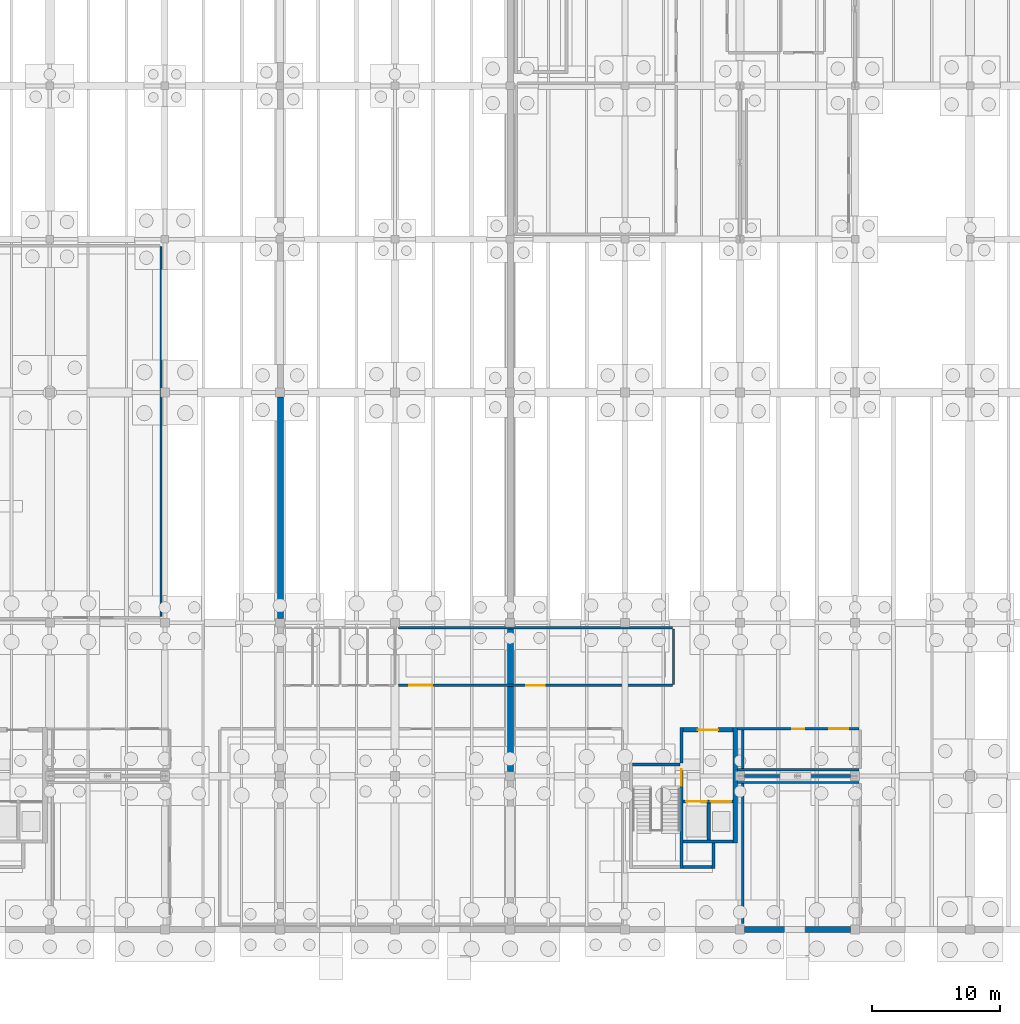
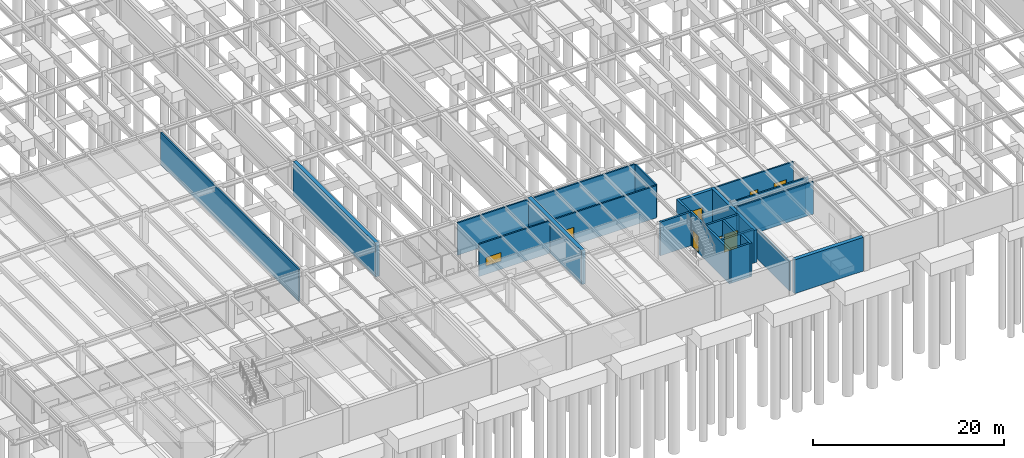
# One storey, part 29 of 40: 23 walls, 6 doors, 2 windows, 8 openings.
"""IFC4 building model written with IfcOpenShell, lengths in metres."""

from ifc_helpers import new_model, si_unit, direction, frame, frame_2d, origin, place, context, subcontext, project, spatial, rectangle, extrude, material, layer, layer_set, type_object, element, fill, save


model = new_model("IFC4")

# Units and contexts
model_context = context("Model", 3, precision=1e-05, world=origin(), true_north=direction((0.0, 1.0)))
body_context = subcontext(model_context, "Body", "Model", "MODEL_VIEW")
ifc_project = project(units=[si_unit("LENGTHUNIT", "METRE"), si_unit("AREAUNIT", "SQUARE_METRE"), si_unit("VOLUMEUNIT", "CUBIC_METRE"), si_unit("PLANEANGLEUNIT", "RADIAN"), si_unit("MASSUNIT", "GRAM", prefix="KILO")], contexts=[model_context])

# Site, building, storey
site_placement = place(None, origin())
site = spatial("IfcSite", under=ifc_project, at=site_placement, CompositionType="ELEMENT")
building_placement = place(site_placement, origin())
building = spatial("IfcBuilding", under=site, at=building_placement, Name="Montelvaro Courts of Justice", CompositionType="ELEMENT")
storey_placement = place(building_placement, frame((0.0, 0.0, -4.5)))
storey = spatial("IfcBuildingStorey", under=building, at=storey_placement, Name="B01", CompositionType="ELEMENT", Elevation=-4.5)

# Wall, opening, door
ifc_material_1 = material(Name="Concrete C40/50", Category="concrete")
ifc_layer_1 = layer(ifc_material_1, 0.360107421875)
ifc_layer_set_1 = layer_set([ifc_layer_1], Name="Concrete C40/50")
wall_type_1 = type_object("IfcWallType", Name="CoreWall_360", PredefinedType="SHEAR", material=ifc_layer_set_1)
wall_1_placement = place(storey_placement, frame((112.5400390625, 15.6201171875, 0.0), z_axis=(0.0, 0.0, 1.0), x_axis=(1.0, 0.0, 0.0)))
wall_1 = element("IfcWall", 1, at=wall_1_placement, inside=storey, type_object=wall_type_1, Name="Core Shear Wall CW-01 K2-N (B01)", PredefinedType="SHEAR", context=body_context, shape_type="SweptSolid", body=[
    extrude(rectangle(XDim=3.89990234375, YDim=0.360107421875, at=frame_2d((1.949951171875, 0.0))), origin(), (0.0, 0.0, 1.0), 4.159912109375),
])
opening_1_placement = place(wall_1_placement, frame((1.14990234375, 0.0, 0.0)))
opening_1 = element("IfcOpeningElement", 2, at=opening_1_placement, cuts=wall_1, Name="Opening DL-B01-K2", PredefinedType="OPENING", context=body_context, shape_type="SweptSolid", body=[
    extrude(rectangle(XDim=1.60009765625, YDim=2.25, at=frame_2d((0.800048828125, 1.125))), frame((0.0, 0.19482421875, 0.0), z_axis=(0.0, -1.0, 0.0), x_axis=(1.0, 0.0, 0.0)), (0.0, 0.0, 1.0), 0.389892578125),
])
ifc_material_2 = material(Name="Galvanised steel S355 security door", Category="steel")
door_type_1 = type_object("IfcDoorType", Name="LobbyFireDoor_160x225", OperationType="DOUBLE_DOOR_SINGLE_SWING", PredefinedType="DOOR", material=ifc_material_2)
door_1_placement = place(opening_1_placement, origin())
door_1 = element("IfcDoor", 3, at=door_1_placement, inside=storey, type_object=door_type_1, Name="Core Lobby Fire Door DL-B01-K2", OperationType="DOUBLE_DOOR_SINGLE_SWING", OverallHeight=2.25, OverallWidth=1.60009765625, PredefinedType="DOOR", context=body_context, shape_type="SweptSolid", body=[
    extrude(rectangle(XDim=1.60009765625, YDim=2.25, at=frame_2d((0.800048828125, 1.125))), frame((0.0, 0.02490234375, 0.0), z_axis=(0.0, -1.0, 0.0), x_axis=(1.0, 0.0, 0.0)), (0.0, 0.0, 1.0), 0.050048828125),
])
fill(opening_1, door_1)

# Walls
wall_2_placement = place(storey_placement, frame((116.6201171875, 6.760009765625, 0.0), z_axis=(0.0, 0.0, 1.0), x_axis=(0.0, 1.0, 0.0)))
element("IfcWall", 4, at=wall_2_placement, inside=storey, type_object=wall_type_1, Name="Core Shear Wall CW-01 K2-E (B01)", PredefinedType="SHEAR", context=body_context, shape_type="SweptSolid", body=[
    extrude(rectangle(XDim=9.0400390625, YDim=0.360107421875, at=frame_2d((4.52001953125, 0.0))), origin(), (0.0, 0.0, 1.0), 4.159912109375),
])
ifc_material_3 = material(Name="Fire-rated gypsum and steel stud", Category="steel")
ifc_layer_2 = layer(ifc_material_3, 0.179931640625)
ifc_layer_set_2 = layer_set([ifc_layer_2], Name="Fire-rated gypsum and steel stud")
wall_type_2 = type_object("IfcWallType", Name="CorridorFireWall_180", PredefinedType="PARTITIONING", material=ifc_layer_set_2)
wall_3_placement = place(storey_placement, frame((71.699951171875, 53.419921875, 0.0), z_axis=(0.0, 0.0, 1.0), x_axis=(0.0, -1.0, 0.0)))
element("IfcWall", 5, at=wall_3_placement, inside=storey, type_object=wall_type_2, Name="Interior Partition IW-02 (B01)", PredefinedType="PARTITIONING", context=body_context, shape_type="SweptSolid", body=[
    extrude(rectangle(XDim=28.93994140625, YDim=0.179931640625, at=frame_2d((14.469970703125, 0.0))), origin(), (0.0, 0.0, 1.0), 4.139892578125),
])
wall_4_placement = place(storey_placement, frame((117.199951171875, 0.47998046875, 0.0), z_axis=(0.0, 0.0, 1.0), x_axis=(0.0, 1.0, 0.0)))
element("IfcWall", 6, at=wall_4_placement, inside=storey, type_object=wall_type_2, Name="Interior Partition IW-02 (B01)", PredefinedType="PARTITIONING", context=body_context, shape_type="SweptSolid", body=[
    extrude(rectangle(XDim=10.93994140625, YDim=0.179931640625, at=frame_2d((5.469970703125, 0.0))), origin(), (0.0, 0.0, 1.0), 3.784912109375),
])
wall_5_placement = place(storey_placement, frame((116.794921875, 11.5, 0.0), z_axis=(0.0, 0.0, 1.0), x_axis=(1.0, 0.0, 0.0)))
element("IfcWall", 7, at=wall_5_placement, inside=storey, type_object=wall_type_2, Name="Interior Partition IW-02 (B01)", PredefinedType="PARTITIONING", context=body_context, shape_type="SweptSolid", body=[
    extrude(rectangle(XDim=9.525146484375, YDim=0.179931640625, at=frame_2d((4.7626953125, 0.0))), origin(), (0.0, 0.0, 1.0), 4.139892578125),
])
wall_6_placement = place(storey_placement, frame((117.199951171875, 12.580078125, 0.0), z_axis=(0.0, 0.0, 1.0), x_axis=(0.0, 1.0, 0.0)))
element("IfcWall", 8, at=wall_6_placement, inside=storey, type_object=wall_type_2, Name="Interior Partition IW-02 (B01)", PredefinedType="PARTITIONING", context=body_context, shape_type="SweptSolid", body=[
    extrude(rectangle(XDim=3.0400390625, YDim=0.179931640625, at=frame_2d((1.52001953125, 0.0))), origin(), (0.0, 0.0, 1.0), 3.784912109375),
])

# Wall, openings, door, window
wall_7_placement = place(storey_placement, frame((116.794921875, 15.699951171875, 0.0), z_axis=(0.0, 0.0, 1.0), x_axis=(1.0, 0.0, 0.0)))
wall_7 = element("IfcWall", 9, at=wall_7_placement, inside=storey, type_object=wall_type_2, Name="Interior Partition IW-02 (B01)", PredefinedType="PARTITIONING", context=body_context, shape_type="SweptSolid", body=[
    extrude(rectangle(XDim=9.525146484375, YDim=0.179931640625, at=frame_2d((4.7626953125, 0.0))), origin(), (0.0, 0.0, 1.0), 4.139892578125),
])
opening_2_placement = place(wall_7_placement, frame((4.2880859375, 0.0, 0.0)))
opening_2 = element("IfcOpeningElement", 10, at=opening_2_placement, cuts=wall_7, Name="Opening D-B01-017", PredefinedType="OPENING", context=body_context, shape_type="SweptSolid", body=[
    extrude(rectangle(XDim=0.949951171875, YDim=2.10009765625, at=frame_2d((0.47509765625, 1.050048828125))), frame((0.0, 0.10498046875, 0.0), z_axis=(0.0, -1.0, 0.0), x_axis=(1.0, 0.0, 0.0)), (0.0, 0.0, 1.0), 0.209716796875),
])
opening_3_placement = place(wall_7_placement, frame((7.175048828125, 0.0, 1.050048828125)))
opening_3 = element("IfcOpeningElement", 11, at=opening_3_placement, cuts=wall_7, Name="Opening WI-02", PredefinedType="OPENING", context=body_context, shape_type="SweptSolid", body=[
    extrude(rectangle(XDim=1.5, YDim=1.10009765625, at=frame_2d((0.75, 0.550048828125))), frame((0.0, 0.10498046875, 0.0), z_axis=(0.0, -1.0, 0.0), x_axis=(1.0, 0.0, 0.0)), (0.0, 0.0, 1.0), 0.209716796875),
])
door_type_2 = type_object("IfcDoorType", Name="CustodyCellDoor_095x210", OperationType="NOTDEFINED", PredefinedType="DOOR", material=ifc_material_2)
door_2_placement = place(opening_2_placement, frame((0.949951171875, 0.0, 0.0), z_axis=(0.0, 0.0, 1.0), x_axis=(-1.0, 0.0, 0.0)))
door_2 = element("IfcDoor", 12, at=door_2_placement, inside=storey, type_object=door_type_2, Name="Interior Door D-B01-017 (Exhibit Intake Vault East)", OperationType="SINGLE_SWING_LEFT", OverallHeight=2.10009765625, OverallWidth=0.949951171875, PredefinedType="DOOR", context=body_context, shape_type="SweptSolid", body=[
    extrude(rectangle(XDim=0.949951171875, YDim=2.10009765625, at=frame_2d((0.47509765625, 1.050048828125))), frame((0.0, 0.02490234375, 0.0), z_axis=(0.0, -1.0, 0.0), x_axis=(1.0, 0.0, 0.0)), (0.0, 0.0, 1.0), 0.050048828125),
])
fill(opening_2, door_2)
ifc_material_4 = material(Name="Acoustic laminated double glazing", Category="glass")
window_type_1 = type_object("IfcWindowType", Name="IntVision_150x110", PartitioningType="SINGLE_PANEL", PredefinedType="WINDOW", material=ifc_material_4)
window_1_placement = place(opening_3_placement, origin())
window_1 = element("IfcWindow", 13, at=window_1_placement, inside=storey, type_object=window_type_1, Name="Interior Vision Panel WI-010", OverallHeight=1.10009765625, OverallWidth=1.5, PartitioningType="SINGLE_PANEL", PredefinedType="WINDOW", context=body_context, shape_type="SweptSolid", body=[
    extrude(rectangle(XDim=1.5, YDim=1.10009765625, at=frame_2d((0.75, 0.550048828125))), frame((0.0, 0.030029296875, 0.0), z_axis=(0.0, -1.0, 0.0), x_axis=(1.0, 0.0, 0.0)), (0.0, 0.0, 1.0), 0.06005859375),
])
fill(opening_3, window_1)

# Wall
wall_8_placement = place(storey_placement, frame((126.320068359375, 12.5, 0.0), z_axis=(0.0, 0.0, 1.0), x_axis=(-1.0, 0.0, 0.0)))
element("IfcWall", 14, at=wall_8_placement, inside=storey, type_object=wall_type_2, Name="Interior Partition IW-02 (B01)", PredefinedType="PARTITIONING", context=body_context, shape_type="SweptSolid", body=[
    extrude(rectangle(XDim=9.525146484375, YDim=0.179931640625, at=frame_2d((4.7626953125, 0.0))), origin(), (0.0, 0.0, 1.0), 4.139892578125),
])

# Wall, openings, door, window
wall_9_placement = place(storey_placement, frame((111.719970703125, 19.10009765625, 0.0), z_axis=(0.0, 0.0, 1.0), x_axis=(-1.0, 0.0, 0.0)))
wall_9 = element("IfcWall", 15, at=wall_9_placement, inside=storey, type_object=wall_type_2, Name="Interior Partition IW-02 (B01)", PredefinedType="PARTITIONING", context=body_context, shape_type="SweptSolid", body=[
    extrude(rectangle(XDim=21.43994140625, YDim=0.179931640625, at=frame_2d((10.719970703125, 0.0))), origin(), (0.0, 0.0, 1.0), 4.139892578125),
])
opening_4_placement = place(wall_9_placement, frame((9.9951171875, 0.0, 0.0)))
opening_4 = element("IfcOpeningElement", 16, at=opening_4_placement, cuts=wall_9, Name="Opening D-B01-024", PredefinedType="OPENING", context=body_context, shape_type="SweptSolid", body=[
    extrude(rectangle(XDim=1.449951171875, YDim=2.300048828125, at=frame_2d((0.72509765625, 1.14990234375))), frame((0.0, 0.10498046875, 0.0), z_axis=(0.0, -1.0, 0.0), x_axis=(1.0, 0.0, 0.0)), (0.0, 0.0, 1.0), 0.209716796875),
])
opening_5_placement = place(wall_9_placement, frame((18.7900390625, 0.0, 1.050048828125)))
opening_5 = element("IfcOpeningElement", 17, at=opening_5_placement, cuts=wall_9, Name="Opening WI-01", PredefinedType="OPENING", context=body_context, shape_type="SweptSolid", body=[
    extrude(rectangle(XDim=1.800048828125, YDim=1.10009765625, at=frame_2d((0.89990234375, 0.550048828125))), frame((0.0, 0.10498046875, 0.0), z_axis=(0.0, -1.0, 0.0), x_axis=(1.0, 0.0, 0.0)), (0.0, 0.0, 1.0), 0.209716796875),
])
door_type_3 = type_object("IfcDoorType", Name="ArchiveVaultDoor_145x230", OperationType="DOUBLE_DOOR_SINGLE_SWING", PredefinedType="DOOR", material=ifc_material_2)
door_3_placement = place(opening_4_placement, origin())
door_3 = element("IfcDoor", 18, at=door_3_placement, inside=storey, type_object=door_type_3, Name="Interior Door D-B01-024 (Archive Digitisation Workshop)", OperationType="DOUBLE_DOOR_SINGLE_SWING", OverallHeight=2.300048828125, OverallWidth=1.449951171875, PredefinedType="DOOR", context=body_context, shape_type="SweptSolid", body=[
    extrude(rectangle(XDim=1.449951171875, YDim=2.300048828125, at=frame_2d((0.72509765625, 1.14990234375))), frame((0.0, 0.02490234375, 0.0), z_axis=(0.0, -1.0, 0.0), x_axis=(1.0, 0.0, 0.0)), (0.0, 0.0, 1.0), 0.050048828125),
])
fill(opening_4, door_3)
window_type_2 = type_object("IfcWindowType", Name="IntVision_180x110", PartitioningType="SINGLE_PANEL", PredefinedType="WINDOW", material=ifc_material_4)
window_2_placement = place(opening_5_placement, origin())
window_2 = element("IfcWindow", 19, at=window_2_placement, inside=storey, type_object=window_type_2, Name="Interior Vision Panel WI-013", OverallHeight=1.10009765625, OverallWidth=1.800048828125, PartitioningType="SINGLE_PANEL", PredefinedType="WINDOW", context=body_context, shape_type="SweptSolid", body=[
    extrude(rectangle(XDim=1.800048828125, YDim=1.10009765625, at=frame_2d((0.89990234375, 0.550048828125))), frame((0.0, 0.030029296875, 0.0), z_axis=(0.0, -1.0, 0.0), x_axis=(1.0, 0.0, 0.0)), (0.0, 0.0, 1.0), 0.06005859375),
])
fill(opening_5, window_2)

# Walls
wall_10_placement = place(storey_placement, frame((90.280029296875, 23.60009765625, 0.0), z_axis=(0.0, 0.0, 1.0), x_axis=(1.0, 0.0, 0.0)))
element("IfcWall", 20, at=wall_10_placement, inside=storey, type_object=wall_type_2, Name="Interior Partition IW-02 (B01)", PredefinedType="PARTITIONING", context=body_context, shape_type="SweptSolid", body=[
    extrude(rectangle(XDim=21.43994140625, YDim=0.179931640625, at=frame_2d((10.719970703125, 0.0))), origin(), (0.0, 0.0, 1.0), 4.139892578125),
])
wall_11_placement = place(storey_placement, frame((111.800048828125, 23.52001953125, 0.0), z_axis=(0.0, 0.0, 1.0), x_axis=(0.0, -1.0, 0.0)))
element("IfcWall", 21, at=wall_11_placement, inside=storey, type_object=wall_type_2, Name="Interior Partition IW-02 (B01)", PredefinedType="PARTITIONING", context=body_context, shape_type="SweptSolid", body=[
    extrude(rectangle(XDim=4.340087890625, YDim=0.179931640625, at=frame_2d((2.169921875, 0.0))), origin(), (0.0, 0.0, 1.0), 4.139892578125),
])
ifc_material_5 = material(Name="Concrete C35/45", Category="concrete")
ifc_layer_3 = layer(ifc_material_5, 0.449951171875)
ifc_layer_set_3 = layer_set([ifc_layer_3], Name="Concrete C35/45")
wall_type_3 = type_object("IfcWallType", Name="RetainingWall_450", PredefinedType="USERDEFINED", material=ifc_layer_set_3)
wall_12_placement = place(storey_placement, frame((117.345947265625, 0.0, 0.0), z_axis=(0.0, 0.0, 1.0), x_axis=(1.0, 0.0, 0.0)))
element("IfcWall", 22, at=wall_12_placement, inside=storey, type_object=wall_type_3, Name="Basement Plinth Retaining Wall RW-01-003", ObjectType="RETAININGWALL", PredefinedType="USERDEFINED", context=body_context, shape_type="SweptSolid", body=[
    extrude(rectangle(XDim=8.30810546875, YDim=0.449951171875, at=frame_2d((4.154052734375, 0.0))), origin(), (0.0, 0.0, 1.0), 4.320068359375),
])
wall_13_placement = place(storey_placement, frame((99.050048828125, 23.654052734375, 0.0), z_axis=(0.0, 0.0, 1.0), x_axis=(0.0, -1.0, 0.0)))
element("IfcWall", 23, at=wall_13_placement, inside=storey, type_object=wall_type_3, Name="Basement Plinth Retaining Wall RW-01-033", ObjectType="RETAININGWALL", PredefinedType="USERDEFINED", context=body_context, shape_type="SweptSolid", body=[
    extrude(rectangle(XDim=11.30810546875, YDim=0.449951171875, at=frame_2d((5.654052734375, 0.0))), origin(), (0.0, 0.0, 1.0), 4.320068359375),
])
wall_14_placement = place(storey_placement, frame((81.050048828125, 41.654052734375, 0.0), z_axis=(0.0, 0.0, 1.0), x_axis=(0.0, -1.0, 0.0)))
element("IfcWall", 24, at=wall_14_placement, inside=storey, type_object=wall_type_3, Name="Basement Plinth Retaining Wall RW-01-044", ObjectType="RETAININGWALL", PredefinedType="USERDEFINED", context=body_context, shape_type="SweptSolid", body=[
    extrude(rectangle(XDim=17.30810546875, YDim=0.449951171875, at=frame_2d((8.654052734375, 0.0))), origin(), (0.0, 0.0, 1.0), 4.320068359375),
])

# Wall, opening, door
ifc_layer_4 = layer(ifc_material_5, 0.239990234375)
ifc_layer_set_4 = layer_set([ifc_layer_4], Name="Concrete C35/45")
wall_type_4 = type_object("IfcWallType", Name="ShaftWall_240", PredefinedType="SHEAR", material=ifc_layer_set_4)
wall_15_placement = place(storey_placement, frame((112.419921875, 4.760009765625, 0.0), z_axis=(0.0, 0.0, 1.0), x_axis=(0.0, 1.0, 0.0)))
wall_15 = element("IfcWall", 25, at=wall_15_placement, inside=storey, type_object=wall_type_4, Name="Protected Stair Structural Wall ST-K2-E (B01)", PredefinedType="SHEAR", context=body_context, shape_type="SweptSolid", body=[
    extrude(rectangle(XDim=8.280029296875, YDim=0.239990234375, at=frame_2d((4.14013671875, 0.0))), origin(), (0.0, 0.0, 1.0), 4.31005859375),
])
opening_6_placement = place(wall_15_placement, frame((6.489990234375, 0.0, 0.0)))
opening_6 = element("IfcOpeningElement", 26, at=opening_6_placement, cuts=wall_15, Name="Opening DS-B01-K2", PredefinedType="OPENING", context=body_context, shape_type="SweptSolid", body=[
    extrude(rectangle(XDim=1.300048828125, YDim=2.199951171875, at=frame_2d((0.64990234375, 1.10009765625))), frame((0.0, 0.134765625, 0.0), z_axis=(0.0, -1.0, 0.0), x_axis=(1.0, 0.0, 0.0)), (0.0, 0.0, 1.0), 0.269775390625),
])
door_type_4 = type_object("IfcDoorType", Name="StairFireDoor_130x220", OperationType="NOTDEFINED", PredefinedType="DOOR", material=ifc_material_2)
door_4_placement = place(opening_6_placement, frame((1.300048828125, 0.0, 0.0), z_axis=(0.0, 0.0, 1.0), x_axis=(-1.0, 0.0, 0.0)))
door_4 = element("IfcDoor", 27, at=door_4_placement, inside=storey, type_object=door_type_4, Name="Protected Stair Fire Door DS-B01-K2", OperationType="SINGLE_SWING_LEFT", OverallHeight=2.199951171875, OverallWidth=1.300048828125, PredefinedType="DOOR", context=body_context, shape_type="SweptSolid", body=[
    extrude(rectangle(XDim=1.300048828125, YDim=2.199951171875, at=frame_2d((0.64990234375, 1.10009765625))), frame((0.0, 0.02490234375, 0.0), z_axis=(0.0, -1.0, 0.0), x_axis=(1.0, 0.0, 0.0)), (0.0, 0.0, 1.0), 0.050048828125),
])
fill(opening_6, door_4)

# Walls
wall_16_placement = place(storey_placement, frame((108.60009765625, 12.919921875, 0.0), z_axis=(0.0, 0.0, 1.0), x_axis=(1.0, 0.0, 0.0)))
element("IfcWall", 28, at=wall_16_placement, inside=storey, type_object=wall_type_4, Name="Protected Stair Structural Wall ST-K2-N (B01)", PredefinedType="SHEAR", context=body_context, shape_type="SweptSolid", body=[
    extrude(rectangle(XDim=3.699951171875, YDim=0.239990234375, at=frame_2d((1.85009765625, 0.0))), origin(), (0.0, 0.0, 1.0), 4.31005859375),
])
wall_17_placement = place(storey_placement, frame((112.419921875, 13.0400390625, 0.0), z_axis=(0.0, 0.0, 1.0), x_axis=(0.0, 1.0, 0.0)))
element("IfcWall", 29, at=wall_17_placement, inside=storey, type_object=wall_type_4, Name="Core Lobby Structural Wall K2-W (B01)", PredefinedType="SHEAR", context=body_context, shape_type="SweptSolid", body=[
    extrude(rectangle(XDim=2.760009765625, YDim=0.239990234375, at=frame_2d((1.3798828125, 0.0))), origin(), (0.0, 0.0, 1.0), 4.159912109375),
])

# Wall, openings, doors
wall_18_placement = place(storey_placement, frame((112.5400390625, 10.02001953125, 0.0), z_axis=(0.0, 0.0, 1.0), x_axis=(1.0, 0.0, 0.0)))
wall_18 = element("IfcWall", 30, at=wall_18_placement, inside=storey, type_object=wall_type_4, Name="Lift Shaft Bank Wall K2 (B01)", PredefinedType="SHEAR", context=body_context, shape_type="SweptSolid", body=[
    extrude(rectangle(XDim=3.89990234375, YDim=0.239990234375, at=frame_2d((1.949951171875, 0.0))), origin(), (0.0, 0.0, 1.0), 4.31005859375),
])
opening_7_placement = place(wall_18_placement, frame((0.235107421875, 0.0, 0.0)))
opening_7 = element("IfcOpeningElement", 31, at=opening_7_placement, cuts=wall_18, Name="Opening LD-LF-02-B01", PredefinedType="OPENING", context=body_context, shape_type="SweptSolid", body=[
    extrude(rectangle(XDim=1.60009765625, YDim=2.300048828125, at=frame_2d((0.800048828125, 1.14990234375))), frame((0.0, 0.134765625, 0.0), z_axis=(0.0, -1.0, 0.0), x_axis=(1.0, 0.0, 0.0)), (0.0, 0.0, 1.0), 0.269775390625),
])
opening_8_placement = place(wall_18_placement, frame((2.18505859375, 0.0, 0.0)))
opening_8 = element("IfcOpeningElement", 32, at=opening_8_placement, cuts=wall_18, Name="Opening LD-LJ-02-B01", PredefinedType="OPENING", context=body_context, shape_type="SweptSolid", body=[
    extrude(rectangle(XDim=1.60009765625, YDim=2.300048828125, at=frame_2d((0.800048828125, 1.14990234375))), frame((0.0, 0.134765625, 0.0), z_axis=(0.0, -1.0, 0.0), x_axis=(1.0, 0.0, 0.0)), (0.0, 0.0, 1.0), 0.269775390625),
])
door_type_5 = type_object("IfcDoorType", Name="LiftDoor_160x230", OperationType="DOUBLE_DOOR_SLIDING", PredefinedType="DOOR", material=ifc_material_2)
door_5_placement = place(opening_7_placement, origin())
door_5 = element("IfcDoor", 33, at=door_5_placement, inside=storey, type_object=door_type_5, Name="Lift Landing Sliding Door LD-LF-02-B01", OperationType="DOUBLE_DOOR_SLIDING", OverallHeight=2.300048828125, OverallWidth=1.60009765625, PredefinedType="DOOR", context=body_context, shape_type="SweptSolid", body=[
    extrude(rectangle(XDim=1.60009765625, YDim=2.300048828125, at=frame_2d((0.800048828125, 1.14990234375))), frame((0.0, 0.02490234375, 0.0), z_axis=(0.0, -1.0, 0.0), x_axis=(1.0, 0.0, 0.0)), (0.0, 0.0, 1.0), 0.050048828125),
])
fill(opening_7, door_5)
door_6_placement = place(opening_8_placement, origin())
door_6 = element("IfcDoor", 34, at=door_6_placement, inside=storey, type_object=door_type_5, Name="Lift Landing Sliding Door LD-LJ-02-B01", OperationType="DOUBLE_DOOR_SLIDING", OverallHeight=2.300048828125, OverallWidth=1.60009765625, PredefinedType="DOOR", context=body_context, shape_type="SweptSolid", body=[
    extrude(rectangle(XDim=1.60009765625, YDim=2.300048828125, at=frame_2d((0.800048828125, 1.14990234375))), frame((0.0, 0.02490234375, 0.0), z_axis=(0.0, -1.0, 0.0), x_axis=(1.0, 0.0, 0.0)), (0.0, 0.0, 1.0), 0.050048828125),
])
fill(opening_8, door_6)

# Walls
wall_19_placement = place(storey_placement, frame((112.5400390625, 6.8798828125, 0.0), z_axis=(0.0, 0.0, 1.0), x_axis=(1.0, 0.0, 0.0)))
element("IfcWall", 35, at=wall_19_placement, inside=storey, type_object=wall_type_4, Name="Lift Shaft Back Wall K2 (B01)", PredefinedType="SHEAR", context=body_context, shape_type="SweptSolid", body=[
    extrude(rectangle(XDim=3.89990234375, YDim=0.239990234375, at=frame_2d((1.949951171875, 0.0))), origin(), (0.0, 0.0, 1.0), 4.31005859375),
])
wall_20_placement = place(storey_placement, frame((114.550048828125, 7.0, 0.0), z_axis=(0.0, 0.0, 1.0), x_axis=(0.0, 1.0, 0.0)))
element("IfcWall", 36, at=wall_20_placement, inside=storey, type_object=wall_type_4, Name="Lift Shaft Divider Wall K2-LFD1 (B01)", PredefinedType="SHEAR", context=body_context, shape_type="SweptSolid", body=[
    extrude(rectangle(XDim=2.89990234375, YDim=0.239990234375, at=frame_2d((1.449951171875, 0.0))), origin(), (0.0, 0.0, 1.0), 4.31005859375),
])
wall_21_placement = place(storey_placement, frame((114.919921875, 4.760009765625, 0.0), z_axis=(0.0, 0.0, 1.0), x_axis=(0.0, 1.0, 0.0)))
element("IfcWall", 37, at=wall_21_placement, inside=storey, type_object=wall_type_4, Name="Service Riser East Shaft Wall K2 (B01)", PredefinedType="SHEAR", context=body_context, shape_type="SweptSolid", body=[
    extrude(rectangle(XDim=2.0, YDim=0.239990234375, at=frame_2d((1.0, 0.0))), origin(), (0.0, 0.0, 1.0), 4.31005859375),
])
wall_22_placement = place(storey_placement, frame((112.5400390625, 4.8798828125, 0.0), z_axis=(0.0, 0.0, 1.0), x_axis=(1.0, 0.0, 0.0)))
element("IfcWall", 38, at=wall_22_placement, inside=storey, type_object=wall_type_4, Name="Service Riser South Shaft Wall K2 (B01)", PredefinedType="SHEAR", context=body_context, shape_type="SweptSolid", body=[
    extrude(rectangle(XDim=2.260009765625, YDim=0.239990234375, at=frame_2d((1.1298828125, 0.0))), origin(), (0.0, 0.0, 1.0), 4.31005859375),
])
wall_23_placement = place(storey_placement, frame((117.345947265625, 12.0, 0.0), z_axis=(0.0, 0.0, 1.0), x_axis=(1.0, 0.0, 0.0)))
element("IfcWall", 39, at=wall_23_placement, inside=storey, type_object=wall_type_4, Name="Enclosed Braced Frame Structural Wall CBF2 (B01)", PredefinedType="SHEAR", context=body_context, shape_type="SweptSolid", body=[
    extrude(rectangle(XDim=8.30810546875, YDim=0.239990234375, at=frame_2d((4.154052734375, 0.0))), origin(), (0.0, 0.0, 1.0), 3.68505859375),
])

save(model, "model.ifc")
